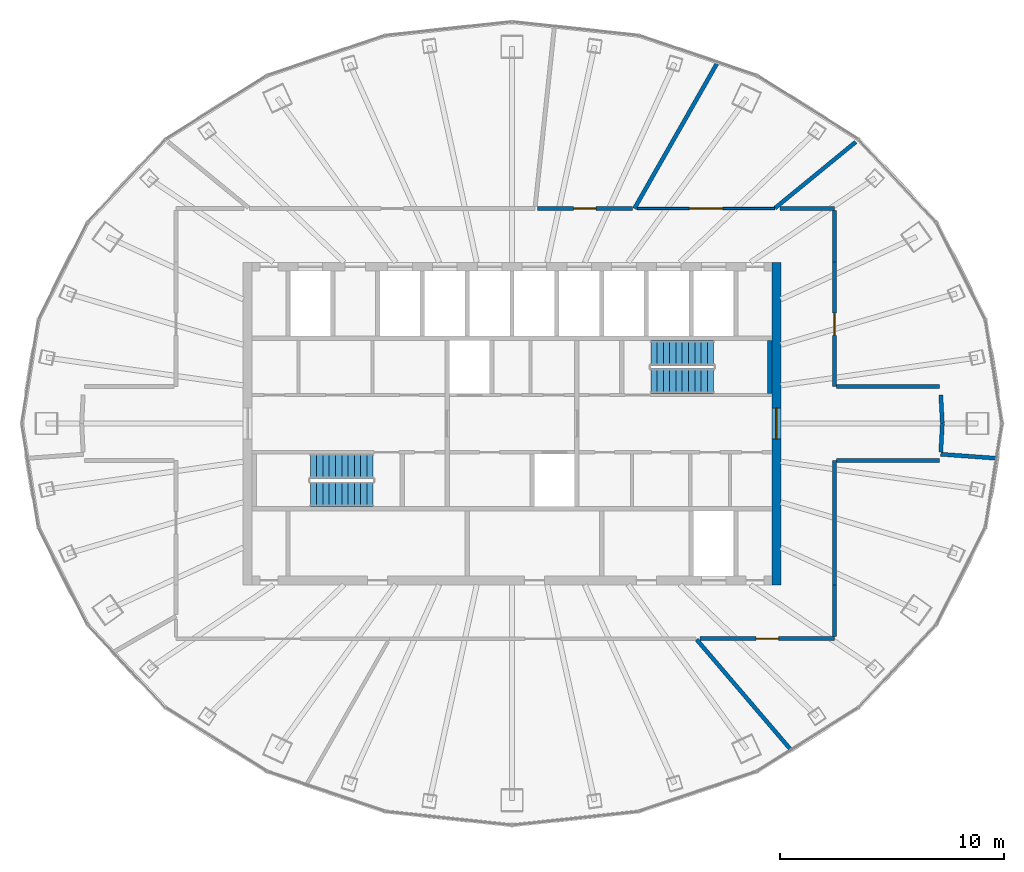
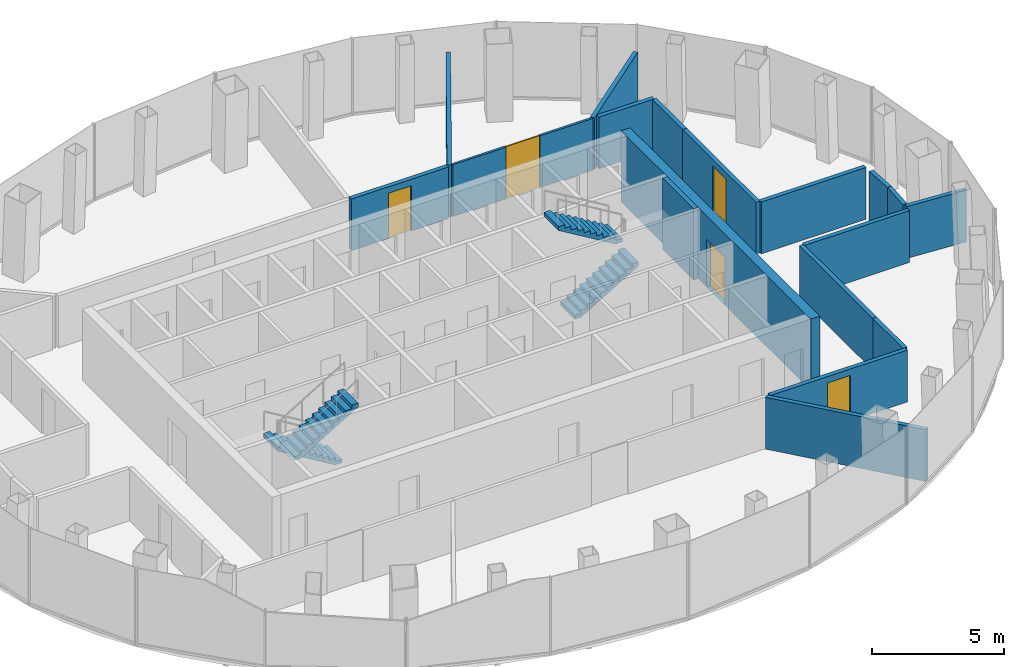
# One storey, part 10 of 11: 18 walls, 5 doors, 4 stair flights, 5 openings, 2 elements without a shape of their own.
"""IFC4 building model written with IfcOpenShell, lengths in metres."""

from ifc_helpers import new_model, si_unit, direction, frame, frame_2d, origin, place, context, subcontext, project, spatial, polyline, rectangle, outline, extrude, material, layer, layer_set, type_object, element, fill, aggregate, save


model = new_model("IFC4")

# Units and contexts
model_context = context("Model", 3, precision=1e-05, world=origin(), true_north=direction((0.0, 1.0)))
body_context = subcontext(model_context, "Body", "Model", "MODEL_VIEW")
ifc_project = project(units=[si_unit("LENGTHUNIT", "METRE"), si_unit("AREAUNIT", "SQUARE_METRE"), si_unit("VOLUMEUNIT", "CUBIC_METRE"), si_unit("PLANEANGLEUNIT", "RADIAN"), si_unit("MASSUNIT", "GRAM", prefix="KILO")], contexts=[model_context])

# Site, building, storey
site_placement = place(None, origin())
site = spatial("IfcSite", under=ifc_project, at=site_placement, CompositionType="ELEMENT")
building_placement = place(site_placement, origin())
building = spatial("IfcBuilding", under=site, at=building_placement, Name="Siaravel Broadcast Tower", CompositionType="ELEMENT")
storey_placement = place(building_placement, frame((0.0, 0.0, 220.800048828125)))
storey = spatial("IfcBuildingStorey", under=building, at=storey_placement, Name="L53", CompositionType="ELEMENT", Elevation=220.800048828125)

# Wall, opening, door
ifc_material_1 = material(Name="Concrete C60/75", Category="concrete")
ifc_layer_1 = layer(ifc_material_1, 0.39990234375)
ifc_layer_set_1 = layer_set([ifc_layer_1], Name="Concrete C60/75")
wall_type_1 = type_object("IfcWallType", Name="Core wall 400", PredefinedType="SHEAR", material=ifc_layer_set_1)
wall_1_placement = place(storey_placement, frame((11.800048828125, -7.199951171875, 0.0), z_axis=(0.0, 0.0, 1.0), x_axis=(0.0, 1.0, 0.0)))
wall_1 = element("IfcWall", 1, at=wall_1_placement, inside=storey, type_object=wall_type_1, Name="L53 core wall OE", PredefinedType="SHEAR", context=body_context, shape_type="SweptSolid", body=[
    extrude(rectangle(XDim=14.39990234375, YDim=0.39990234375, at=frame_2d((7.199951171875, 0.0))), origin(), (0.0, 0.0, 1.0), 3.300048828125),
])
opening_1_placement = place(wall_1_placement, frame((6.5, 0.0, 0.0)))
opening_1 = element("IfcOpeningElement", 2, at=opening_1_placement, cuts=wall_1, Name="Opening L53-DX-E", PredefinedType="OPENING", context=body_context, shape_type="SweptSolid", body=[
    extrude(rectangle(XDim=1.39990234375, YDim=2.199951171875, at=frame_2d((0.699951171875, 1.10009765625))), frame((0.0, 0.2099609375, 0.0), z_axis=(0.0, -1.0, 0.0), x_axis=(1.0, 0.0, 0.0)), (0.0, 0.0, 1.0), 0.419921875),
])
ifc_material_2 = material(Name="Steel", Category="steel")
door_type_1 = type_object("IfcDoorType", Name="Core exit door 1400", OperationType="DOUBLE_DOOR_SINGLE_SWING", PredefinedType="DOOR", material=ifc_material_2)
door_1_placement = place(opening_1_placement, origin())
door_1 = element("IfcDoor", 3, at=door_1_placement, inside=storey, type_object=door_type_1, Name="L53 door DX-E", OperationType="DOUBLE_DOOR_SINGLE_SWING", OverallHeight=2.199951171875, OverallWidth=1.39990234375, PredefinedType="DOOR", context=body_context, shape_type="SweptSolid", body=[
    extrude(rectangle(XDim=1.39990234375, YDim=2.199951171875, at=frame_2d((0.699951171875, 1.10009765625))), frame((0.0, 0.02490234375, 0.0), z_axis=(0.0, -1.0, 0.0), x_axis=(1.0, 0.0, 0.0)), (0.0, 0.0, 1.0), 0.050048828125),
])
fill(opening_1, door_1)

ifc_material_3 = material(Name="Glazed aluminium partition", Category="aluminium")
ifc_layer_2 = layer(ifc_material_3, 0.10009765625)
ifc_layer_set_2 = layer_set([ifc_layer_2], Name="Glazed aluminium partition")
wall_type_2 = type_object("IfcWallType", Name="Glazed meeting room partition 100", PredefinedType="PARTITIONING", material=ifc_layer_set_2)
wall_2_placement = place(storey_placement, frame((11.719970703125, 9.60009765625, 0.0), z_axis=(0.0, 0.0, 1.0), x_axis=(-1.0, 0.0, 0.0)))
wall_2 = element("IfcWall", 4, at=wall_2_placement, inside=storey, type_object=wall_type_2, Name="L53 partition 8", PredefinedType="PARTITIONING", context=body_context, shape_type="SweptSolid", body=[
    extrude(rectangle(XDim=6.120849609375, YDim=0.10009765625, at=frame_2d((3.060546875, 0.0))), origin(), (0.0, 0.0, 1.0), 2.39990234375),
])
opening_2_placement = place(wall_2_placement, frame((2.310302734375, 0.0, 0.0)))
opening_2 = element("IfcOpeningElement", 5, at=opening_2_placement, cuts=wall_2, Name="Opening L53-004", PredefinedType="OPENING", context=body_context, shape_type="SweptSolid", body=[
    extrude(rectangle(XDim=1.5, YDim=2.39990234375, at=frame_2d((0.75, 1.199951171875))), frame((0.0, 0.06005859375, 0.0), z_axis=(0.0, -1.0, 0.0), x_axis=(1.0, 0.0, 0.0)), (0.0, 0.0, 1.0), 0.1201171875),
])
ifc_material_4 = material(Name="Timber veneer", Category="wood")
door_type_2 = type_object("IfcDoorType", Name="Conference double door 1500", OperationType="DOUBLE_DOOR_SINGLE_SWING", PredefinedType="DOOR", material=ifc_material_4)
door_2_placement = place(opening_2_placement, origin())
door_2 = element("IfcDoor", 6, at=door_2_placement, inside=storey, type_object=door_type_2, Name="L53 door to Conference room", OperationType="DOUBLE_DOOR_SINGLE_SWING", OverallHeight=2.39990234375, OverallWidth=1.5, PredefinedType="DOOR", context=body_context, shape_type="SweptSolid", body=[
    extrude(rectangle(XDim=1.5, YDim=2.39990234375, at=frame_2d((0.75, 1.199951171875))), frame((0.0, 0.02490234375, 0.0), z_axis=(0.0, -1.0, 0.0), x_axis=(1.0, 0.0, 0.0)), (0.0, 0.0, 1.0), 0.050048828125),
])
fill(opening_2, door_2)

# Walls
ifc_material_5 = material(Name="Concrete blockwork", Category="masonry")
ifc_layer_3 = layer(ifc_material_5, 0.179931640625)
ifc_layer_set_3 = layer_set([ifc_layer_3], Name="Concrete blockwork")
wall_type_3 = type_object("IfcWallType", Name="Service room fire partition 180", PredefinedType="PARTITIONING", material=ifc_layer_set_3)
wall_3_placement = place(storey_placement, frame((9.16796875, 16.1044921875, 0.0), z_axis=(0.0, 0.0, 1.0), x_axis=(-0.494736666, -0.86904294, 0.0)))
element("IfcWall", 7, at=wall_3_placement, inside=storey, type_object=wall_type_3, Name="L53 partition 5", PredefinedType="PARTITIONING", context=body_context, shape_type="SweptSolid", body=[
    extrude(rectangle(XDim=7.484619140625, YDim=0.179931640625, at=frame_2d((3.7421875, 0.0))), origin(), (0.0, 0.0, 1.0), 2.39990234375),
])
wall_4_placement = place(storey_placement, frame((12.44580078125, -14.5595703125, 0.0), z_axis=(0.0, 0.0, 1.0), x_axis=(-0.649761442, 0.76013819, 0.0)))
element("IfcWall", 8, at=wall_4_placement, inside=storey, type_object=wall_type_3, Name="L53 partition 7", PredefinedType="PARTITIONING", context=body_context, shape_type="SweptSolid", body=[
    extrude(rectangle(XDim=6.46533203125, YDim=0.179931640625, at=frame_2d((3.232666015625, 0.0))), origin(), (0.0, 0.0, 1.0), 2.39990234375),
])

# Wall, opening, door
wall_5_placement = place(storey_placement, frame((8.40380859375, -9.60009765625, 0.0), z_axis=(0.0, 0.0, 1.0), x_axis=(1.0, 0.0, 0.0)))
wall_5 = element("IfcWall", 9, at=wall_5_placement, inside=storey, type_object=wall_type_3, Name="L53 partition 9", PredefinedType="PARTITIONING", context=body_context, shape_type="SweptSolid", body=[
    extrude(rectangle(XDim=5.99609375, YDim=0.179931640625, at=frame_2d((2.998046875, 0.0))), origin(), (0.0, 0.0, 1.0), 2.39990234375),
])
opening_3_placement = place(wall_5_placement, frame((2.498046875, 0.0, 0.0)))
opening_3 = element("IfcOpeningElement", 10, at=opening_3_placement, cuts=wall_5, Name="Opening L53-002", PredefinedType="OPENING", context=body_context, shape_type="SweptSolid", body=[
    extrude(rectangle(XDim=1.0, YDim=2.10009765625, at=frame_2d((0.5, 1.050048828125))), frame((0.0, 0.099853515625, 0.0), z_axis=(0.0, -1.0, 0.0), x_axis=(1.0, 0.0, 0.0)), (0.0, 0.0, 1.0), 0.199951171875),
])
door_type_3 = type_object("IfcDoorType", Name="Service room door 1000", OperationType="SINGLE_SWING_LEFT", PredefinedType="DOOR", material=ifc_material_2)
door_3_placement = place(opening_3_placement, origin())
door_3 = element("IfcDoor", 11, at=door_3_placement, inside=storey, type_object=door_type_3, Name="L53 door to Library", OperationType="SINGLE_SWING_RIGHT", OverallHeight=2.10009765625, OverallWidth=1.0, PredefinedType="DOOR", context=body_context, shape_type="SweptSolid", body=[
    extrude(rectangle(XDim=1.0, YDim=2.10009765625, at=frame_2d((0.5, 1.050048828125))), frame((0.0, 0.02490234375, 0.0), z_axis=(0.0, -1.0, 0.0), x_axis=(1.0, 0.0, 0.0)), (0.0, 0.0, 1.0), 0.050048828125),
])
fill(opening_3, door_3)

# Wall
wall_6_placement = place(storey_placement, frame((14.39990234375, -7.2119140625, 0.0), z_axis=(0.0, 0.0, 1.0), x_axis=(0.0, 1.0, 0.0)))
element("IfcWall", 12, at=wall_6_placement, inside=storey, type_object=wall_type_3, Name="L53 partition 12", PredefinedType="PARTITIONING", context=body_context, shape_type="SweptSolid", body=[
    extrude(rectangle(XDim=5.56201171875, YDim=0.179931640625, at=frame_2d((2.781005859375, 0.0))), origin(), (0.0, 0.0, 1.0), 2.39990234375),
])

# Wall, opening, door
wall_7_placement = place(storey_placement, frame((14.39990234375, 1.64990234375, 0.0), z_axis=(0.0, 0.0, 1.0), x_axis=(0.0, 1.0, 0.0)))
wall_7 = element("IfcWall", 13, at=wall_7_placement, inside=storey, type_object=wall_type_3, Name="L53 partition 13", PredefinedType="PARTITIONING", context=body_context, shape_type="SweptSolid", body=[
    extrude(rectangle(XDim=5.56201171875, YDim=0.179931640625, at=frame_2d((2.781005859375, 0.0))), origin(), (0.0, 0.0, 1.0), 2.39990234375),
])
opening_4_placement = place(wall_7_placement, frame((2.281005859375, 0.0, 0.0)))
opening_4 = element("IfcOpeningElement", 14, at=opening_4_placement, cuts=wall_7, Name="Opening L53-003", PredefinedType="OPENING", context=body_context, shape_type="SweptSolid", body=[
    extrude(rectangle(XDim=1.0, YDim=2.10009765625, at=frame_2d((0.5, 1.050048828125))), frame((0.0, 0.099853515625, 0.0), z_axis=(0.0, -1.0, 0.0), x_axis=(1.0, 0.0, 0.0)), (0.0, 0.0, 1.0), 0.199951171875),
])
door_4_placement = place(opening_4_placement, origin())
door_4 = element("IfcDoor", 15, at=door_4_placement, inside=storey, type_object=door_type_3, Name="L53 door to Library", OperationType="SINGLE_SWING_LEFT", OverallHeight=2.10009765625, OverallWidth=1.0, PredefinedType="DOOR", context=body_context, shape_type="SweptSolid", body=[
    extrude(rectangle(XDim=1.0, YDim=2.10009765625, at=frame_2d((0.5, 1.050048828125))), frame((0.0, 0.02490234375, 0.0), z_axis=(0.0, -1.0, 0.0), x_axis=(1.0, 0.0, 0.0)), (0.0, 0.0, 1.0), 0.050048828125),
])
fill(opening_4, door_4)

# Walls
wall_8_placement = place(storey_placement, frame((15.344970703125, 12.5693359375, 0.0), z_axis=(0.0, 0.0, 1.0), x_axis=(-0.773592416, -0.633683497, 0.0)))
element("IfcWall", 16, at=wall_8_placement, inside=storey, type_object=wall_type_3, Name="L53 partition 15", PredefinedType="PARTITIONING", context=body_context, shape_type="SweptSolid", body=[
    extrude(rectangle(XDim=4.652099609375, YDim=0.179931640625, at=frame_2d((2.326171875, 0.0))), origin(), (0.0, 0.0, 1.0), 2.39990234375),
])
for number, where, z_axis, x_axis, name in (
    (17, (19.0849609375, 1.64990234375, 0.0), (0.0, 0.0, 1.0), (-1.0, 0.0, 0.0), "L53 partition 16"),
    (18, (14.491943359375, -1.64990234375, 0.0), (0.0, 0.0, 1.0), (1.0, 0.0, 0.0), "L53 partition 17"),
):
    element("IfcWall", number, at=place(storey_placement, frame(where, z_axis=z_axis, x_axis=x_axis)), inside=storey, type_object=wall_type_3, Name=name, PredefinedType="PARTITIONING", context=body_context, shape_type="SweptSolid", body=[
        extrude(rectangle(XDim=4.593017578125, YDim=0.179931640625, at=frame_2d((2.29638671875, 0.0))), origin(), (0.0, 0.0, 1.0), 2.39990234375),
    ])

# Wall, opening, door
wall_9_placement = place(storey_placement, frame((5.385009765625, 9.60009765625, 0.0), z_axis=(0.0, 0.0, 1.0), x_axis=(-1.0, 0.0, 0.0)))
wall_9 = element("IfcWall", 19, at=wall_9_placement, inside=storey, type_object=wall_type_3, Name="L53 partition 18", PredefinedType="PARTITIONING", context=body_context, shape_type="SweptSolid", body=[
    extrude(rectangle(XDim=4.257568359375, YDim=0.179931640625, at=frame_2d((2.12890625, 0.0))), origin(), (0.0, 0.0, 1.0), 2.39990234375),
])
opening_5_placement = place(wall_9_placement, frame((1.628662109375, 0.0, 0.0)))
opening_5 = element("IfcOpeningElement", 20, at=opening_5_placement, cuts=wall_9, Name="Opening L53-005", PredefinedType="OPENING", context=body_context, shape_type="SweptSolid", body=[
    extrude(rectangle(XDim=1.0, YDim=2.10009765625, at=frame_2d((0.5, 1.050048828125))), frame((0.0, 0.099853515625, 0.0), z_axis=(0.0, -1.0, 0.0), x_axis=(1.0, 0.0, 0.0)), (0.0, 0.0, 1.0), 0.199951171875),
])
door_5_placement = place(opening_5_placement, origin())
door_5 = element("IfcDoor", 21, at=door_5_placement, inside=storey, type_object=door_type_3, Name="L53 door to Library", OperationType="SINGLE_SWING_LEFT", OverallHeight=2.10009765625, OverallWidth=1.0, PredefinedType="DOOR", context=body_context, shape_type="SweptSolid", body=[
    extrude(rectangle(XDim=1.0, YDim=2.10009765625, at=frame_2d((0.5, 1.050048828125))), frame((0.0, 0.02490234375, 0.0), z_axis=(0.0, -1.0, 0.0), x_axis=(1.0, 0.0, 0.0)), (0.0, 0.0, 1.0), 0.050048828125),
])
fill(opening_5, door_5)

# Walls
wall_10_placement = place(storey_placement, frame((14.39990234375, 9.60009765625, 0.0), z_axis=(0.0, 0.0, 1.0), x_axis=(-1.0, 0.0, 0.0)))
element("IfcWall", 22, at=wall_10_placement, inside=storey, type_object=wall_type_3, Name="L53 partition 23", PredefinedType="PARTITIONING", context=body_context, shape_type="SweptSolid", body=[
    extrude(rectangle(XDim=2.426025390625, YDim=0.179931640625, at=frame_2d((1.212890625, 0.0))), origin(), (0.0, 0.0, 1.0), 2.39990234375),
])
wall_11_placement = place(storey_placement, frame((21.633544921875, -1.55029296875, 0.0), z_axis=(0.0, 0.0, 1.0), x_axis=(-0.997442317, 0.071476043, 0.0)))
element("IfcWall", 23, at=wall_11_placement, inside=storey, type_object=wall_type_3, Name="L53 partition 25", PredefinedType="PARTITIONING", context=body_context, shape_type="SweptSolid", body=[
    extrude(rectangle(XDim=2.500244140625, YDim=0.179931640625, at=frame_2d((1.25, 0.0))), origin(), (0.0, 0.0, 1.0), 2.39990234375),
])
for number, where, z_axis, x_axis, name in (
    (24, (14.39990234375, -9.508056640625, 0.0), (0.0, 0.0, 1.0), (0.0, 1.0, 0.0), "L53 partition 27"),
    (25, (14.39990234375, 7.212890625, 0.0), (0.0, 0.0, 1.0), (0.0, 1.0, 0.0), "L53 partition 28"),
):
    element("IfcWall", number, at=place(storey_placement, frame(where, z_axis=z_axis, x_axis=x_axis)), inside=storey, type_object=wall_type_3, Name=name, PredefinedType="PARTITIONING", context=body_context, shape_type="SweptSolid", body=[
        extrude(rectangle(XDim=2.295166015625, YDim=0.179931640625, at=frame_2d((1.1474609375, 0.0))), origin(), (0.0, 0.0, 1.0), 2.39990234375),
    ])
wall_12_placement = place(storey_placement, frame((19.144287109375, -1.27978515625, 0.0), z_axis=(0.0, 0.0, 1.0), x_axis=(0.05333869, 0.998576479, 0.0)))
element("IfcWall", 26, at=wall_12_placement, inside=storey, type_object=wall_type_3, Name="L53 partition 31", PredefinedType="PARTITIONING", context=body_context, shape_type="SweptSolid", body=[
    extrude(rectangle(XDim=1.281494140625, YDim=0.179931640625, at=frame_2d((0.640625, 0.0))), origin(), (0.0, 0.0, 1.0), 2.39990234375),
])
wall_13_placement = place(storey_placement, frame((19.2119140625, 0.011474609375, 0.0), z_axis=(0.0, 0.0, 1.0), x_axis=(-0.053214222, 0.99858312, 0.0)))
element("IfcWall", 27, at=wall_13_placement, inside=storey, type_object=wall_type_3, Name="L53 partition 33", PredefinedType="PARTITIONING", context=body_context, shape_type="SweptSolid", body=[
    extrude(rectangle(XDim=1.270751953125, YDim=0.179931640625, at=frame_2d((0.63525390625, 0.0))), origin(), (0.0, 0.0, 1.0), 2.39990234375),
])
ifc_layer_4 = layer(ifc_material_1, 0.199951171875)
ifc_layer_set_4 = layer_set([ifc_layer_4], Name="Concrete C60/75")
wall_type_4 = type_object("IfcWallType", Name="Shaft wall 200", PredefinedType="SHEAR", material=ifc_layer_set_4)
wall_14_placement = place(storey_placement, frame((11.5, 1.35009765625, 0.0), z_axis=(0.0, 0.0, 1.0), x_axis=(0.0, 1.0, 0.0)))
element("IfcWall", 28, at=wall_14_placement, inside=storey, type_object=wall_type_4, Name="L53 core wall ST2E", PredefinedType="SHEAR", context=body_context, shape_type="SweptSolid", body=[
    extrude(rectangle(XDim=2.349853515625, YDim=0.199951171875, at=frame_2d((1.1748046875, 0.0))), origin(), (0.0, 0.0, 1.0), 3.300048828125),
])

# Stair, stair flights
ifc_material_6 = material(Name="Concrete C40/50", Category="concrete")
stair_type = type_object("IfcStairType", Name="Core exit stair", PredefinedType="HALF_TURN_STAIR", material=ifc_material_6)
stair_1_placement = place(storey_placement, origin())
stair_1 = element("IfcStair", 29, at=stair_1_placement, inside=storey, type_object=stair_type, Name="L53 Exit stair ST-1", PredefinedType="HALF_TURN_STAIR")
stair_flight_type = type_object("IfcStairFlightType", Name="Stair flight 1100", PredefinedType="STRAIGHT", material=ifc_material_6)
stair_flight_1_placement = place(storey_placement, frame((-6.199951171875, -1.89990234375, 0.0), z_axis=(0.0, 0.0, 1.0), x_axis=(-1.0, 0.0, 0.0)))
stair_flight_1 = element("IfcStairFlight", 30, at=stair_flight_1_placement, type_object=stair_flight_type, Name="ST-1 flight 1", NumberOfRisers=11, NumberOfTreads=10, PredefinedType="STRAIGHT", RiserHeight=0.1681818, TreadLength=0.28, context=body_context, shape_type="SweptSolid", body=[
    extrude(outline(polyline([(0.0, 0.0), (0.0, 0.168212890625), (0.280029296875, 0.168212890625), (0.280029296875, 0.33642578125), (0.56005859375, 0.33642578125), (0.56005859375, 0.504638671875), (0.840087890625, 0.504638671875), (0.840087890625, 0.672607421875), (1.1201171875, 0.672607421875), (1.1201171875, 0.8408203125), (1.39990234375, 0.8408203125), (1.39990234375, 1.009033203125), (1.679931640625, 1.009033203125), (1.679931640625, 1.17724609375), (1.9599609375, 1.17724609375), (1.9599609375, 1.345458984375), (2.239990234375, 1.345458984375), (2.239990234375, 1.513671875), (2.52001953125, 1.513671875), (2.52001953125, 1.681884765625), (2.800048828125, 1.681884765625), (2.800048828125, 1.85009765625), (2.800048828125, 1.5068359375), (0.291015625, 0.0), (0.0, 0.0)])), frame((0.0, 0.550048828125, 0.0), z_axis=(0.0, -1.0, 0.0), x_axis=(1.0, 0.0, 0.0)), (0.0, 0.0, 1.0), 1.10009765625),
])
stair_flight_2_placement = place(storey_placement, frame((-9.0, -3.14990234375, 1.849853515625), z_axis=(0.0, 0.0, 1.0), x_axis=(1.0, 0.0, 0.0)))
stair_flight_2 = element("IfcStairFlight", 31, at=stair_flight_2_placement, type_object=stair_flight_type, Name="ST-1 flight 2", NumberOfRisers=11, NumberOfTreads=10, PredefinedType="STRAIGHT", RiserHeight=0.1681818, TreadLength=0.28, context=body_context, shape_type="SweptSolid", body=[
    extrude(outline(polyline([(0.0, 0.0), (0.0, 0.168212890625), (0.280029296875, 0.168212890625), (0.280029296875, 0.33642578125), (0.56005859375, 0.33642578125), (0.56005859375, 0.504638671875), (0.840087890625, 0.504638671875), (0.840087890625, 0.672607421875), (1.1201171875, 0.672607421875), (1.1201171875, 0.8408203125), (1.39990234375, 0.8408203125), (1.39990234375, 1.009033203125), (1.679931640625, 1.009033203125), (1.679931640625, 1.17724609375), (1.9599609375, 1.17724609375), (1.9599609375, 1.345458984375), (2.239990234375, 1.345458984375), (2.239990234375, 1.513671875), (2.52001953125, 1.513671875), (2.52001953125, 1.681884765625), (2.800048828125, 1.681884765625), (2.800048828125, 1.85009765625), (2.800048828125, 1.5068359375), (0.291015625, 0.0), (0.0, 0.0)])), frame((0.0, 0.550048828125, 0.0), z_axis=(0.0, -1.0, 0.0), x_axis=(1.0, 0.0, 0.0)), (0.0, 0.0, 1.0), 1.10009765625),
])
aggregate(stair_1, [stair_flight_1, stair_flight_2])

stair_2_placement = place(storey_placement, origin())
stair_2 = element("IfcStair", 32, at=stair_2_placement, inside=storey, type_object=stair_type, Name="L53 Exit stair ST-2", PredefinedType="HALF_TURN_STAIR")
stair_flight_3_placement = place(storey_placement, frame((6.199951171875, 1.89990234375, 0.0), z_axis=(0.0, 0.0, 1.0), x_axis=(1.0, 0.0, 0.0)))
stair_flight_3 = element("IfcStairFlight", 33, at=stair_flight_3_placement, type_object=stair_flight_type, Name="ST-2 flight 1", NumberOfRisers=11, NumberOfTreads=10, PredefinedType="STRAIGHT", RiserHeight=0.1681818, TreadLength=0.28, context=body_context, shape_type="SweptSolid", body=[
    extrude(outline(polyline([(0.0, 0.0), (0.0, 0.168212890625), (0.280029296875, 0.168212890625), (0.280029296875, 0.33642578125), (0.56005859375, 0.33642578125), (0.56005859375, 0.504638671875), (0.840087890625, 0.504638671875), (0.840087890625, 0.672607421875), (1.1201171875, 0.672607421875), (1.1201171875, 0.8408203125), (1.39990234375, 0.8408203125), (1.39990234375, 1.009033203125), (1.679931640625, 1.009033203125), (1.679931640625, 1.17724609375), (1.9599609375, 1.17724609375), (1.9599609375, 1.345458984375), (2.239990234375, 1.345458984375), (2.239990234375, 1.513671875), (2.52001953125, 1.513671875), (2.52001953125, 1.681884765625), (2.800048828125, 1.681884765625), (2.800048828125, 1.85009765625), (2.800048828125, 1.5068359375), (0.291015625, 0.0), (0.0, 0.0)])), frame((0.0, 0.550048828125, 0.0), z_axis=(0.0, -1.0, 0.0), x_axis=(1.0, 0.0, 0.0)), (0.0, 0.0, 1.0), 1.10009765625),
])
stair_flight_4_placement = place(storey_placement, frame((9.0, 3.14990234375, 1.849853515625), z_axis=(0.0, 0.0, 1.0), x_axis=(-1.0, 0.0, 0.0)))
stair_flight_4 = element("IfcStairFlight", 34, at=stair_flight_4_placement, type_object=stair_flight_type, Name="ST-2 flight 2", NumberOfRisers=11, NumberOfTreads=10, PredefinedType="STRAIGHT", RiserHeight=0.1681818, TreadLength=0.28, context=body_context, shape_type="SweptSolid", body=[
    extrude(outline(polyline([(0.0, 0.0), (0.0, 0.168212890625), (0.280029296875, 0.168212890625), (0.280029296875, 0.33642578125), (0.56005859375, 0.33642578125), (0.56005859375, 0.504638671875), (0.840087890625, 0.504638671875), (0.840087890625, 0.672607421875), (1.1201171875, 0.672607421875), (1.1201171875, 0.8408203125), (1.39990234375, 0.8408203125), (1.39990234375, 1.009033203125), (1.679931640625, 1.009033203125), (1.679931640625, 1.17724609375), (1.9599609375, 1.17724609375), (1.9599609375, 1.345458984375), (2.239990234375, 1.345458984375), (2.239990234375, 1.513671875), (2.52001953125, 1.513671875), (2.52001953125, 1.681884765625), (2.800048828125, 1.681884765625), (2.800048828125, 1.85009765625), (2.800048828125, 1.5068359375), (0.291015625, 0.0), (0.0, 0.0)])), frame((0.0, 0.550048828125, 0.0), z_axis=(0.0, -1.0, 0.0), x_axis=(1.0, 0.0, 0.0)), (0.0, 0.0, 1.0), 1.10009765625),
])
aggregate(stair_2, [stair_flight_3, stair_flight_4])

save(model, "model.ifc")
